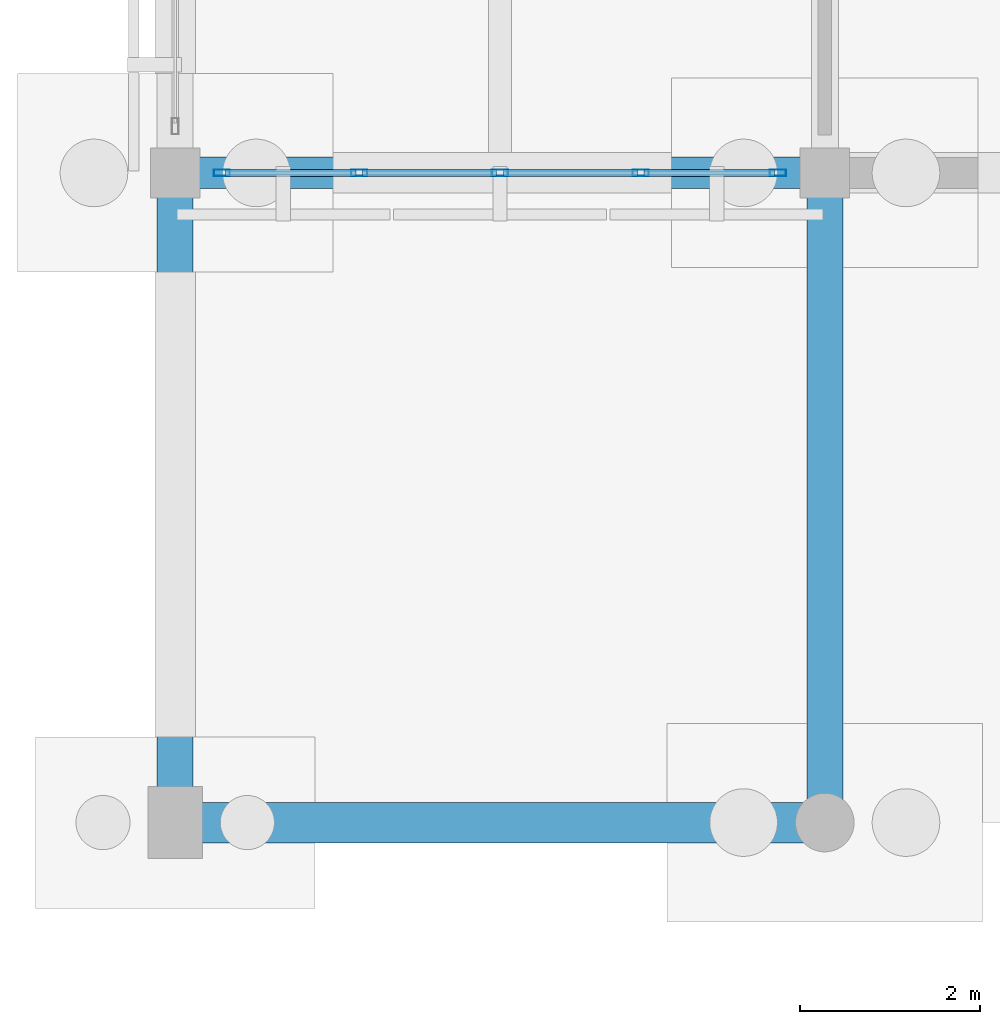
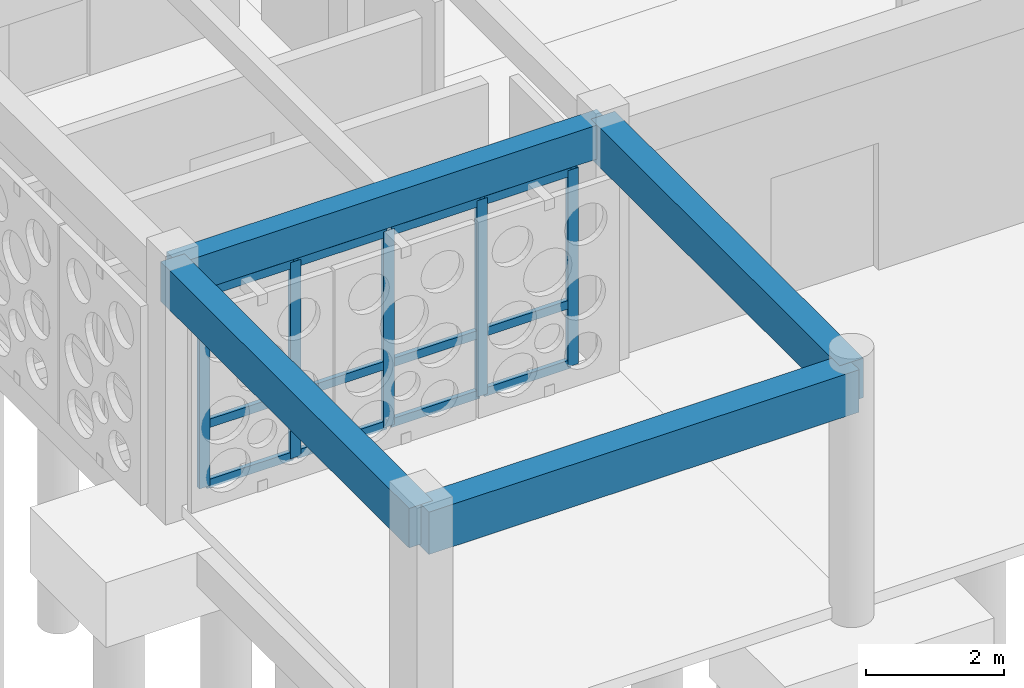
# One storey, part 17 of 111: 17 members, 4 beams, 1 element without a shape of its own.
"""IFC4 building model written with IfcOpenShell, lengths in metres."""

from ifc_helpers import new_model, si_unit, direction, frame, origin, origin_2d, place, context, subcontext, project, spatial, rectangle, hollow_rectangle, extrude, material, material_profile, profile_set, type_object, element, aggregate, save


model = new_model("IFC4")

# Units and contexts
model_context = context("Model", 3, precision=1e-05, world=origin(), true_north=direction((0.0, 1.0)))
body_context = subcontext(model_context, "Body", "Model", "MODEL_VIEW")
ifc_project = project(units=[si_unit("LENGTHUNIT", "METRE"), si_unit("AREAUNIT", "SQUARE_METRE"), si_unit("VOLUMEUNIT", "CUBIC_METRE"), si_unit("PLANEANGLEUNIT", "RADIAN"), si_unit("MASSUNIT", "GRAM", prefix="KILO")], contexts=[model_context])

# Site, building, storey
site_placement = place(None, origin())
site = spatial("IfcSite", under=ifc_project, at=site_placement, CompositionType="ELEMENT")
building_placement = place(site_placement, origin())
building = spatial("IfcBuilding", under=site, at=building_placement, Name="Aldebral Square Health Centre", CompositionType="ELEMENT")
storey_placement = place(building_placement, origin())
storey = spatial("IfcBuildingStorey", under=building, at=storey_placement, Name="L00", CompositionType="ELEMENT", Elevation=0.0)

# Beams
ifc_material_1 = material(Name="Concrete C40/50", Category="concrete")
ifc_material_profile_1 = material_profile(ifc_material_1, rectangle(XDim=0.35009765625, YDim=0.60009765625, at=origin_2d()), Name="RC 350x600")
ifc_profile_set_1 = profile_set([ifc_material_profile_1], Name="Concrete C40/50")
beam_type_1 = type_object("IfcBeamType", Name="BM-B2", PredefinedType="BEAM", material=ifc_profile_set_1)
beam_1_placement = place(storey_placement, frame((64.800048828125, 79.199951171875, 3.919921875), z_axis=(1.0, 0.0, 0.0), x_axis=(0.0, 1.0, 0.0)))
element("IfcBeam", 1, at=beam_1_placement, inside=storey, type_object=beam_type_1, Name="L00 X-beam 10-11/G12", PredefinedType="BEAM", context=body_context, shape_type="SweptSolid", body=[
    extrude(rectangle(XDim=0.35009765625, YDim=0.60009765625, at=origin_2d()), origin(), (0.0, 0.0, 1.0), 7.199951171875),
])
ifc_material_profile_2 = material_profile(ifc_material_1, rectangle(XDim=0.449951171875, YDim=0.75, at=origin_2d()), Name="RC 450x750")
ifc_profile_set_2 = profile_set([ifc_material_profile_2], Name="Concrete C40/50")
beam_type_2 = type_object("IfcBeamType", Name="BM-G2", PredefinedType="T_BEAM", material=ifc_profile_set_2)
beam_2_placement = place(storey_placement, frame((64.800048828125, 72.0, 3.844970703125), z_axis=(1.0, 0.0, 0.0), x_axis=(0.0, 1.0, 0.0)))
element("IfcBeam", 2, at=beam_2_placement, inside=storey, type_object=beam_type_2, Name="L00 X-beam 10-11/G11", PredefinedType="T_BEAM", context=body_context, shape_type="SweptSolid", body=[
    extrude(rectangle(XDim=0.449951171875, YDim=0.75, at=origin_2d()), origin(), (0.0, 0.0, 1.0), 7.199951171875),
])
ifc_material_profile_3 = material_profile(ifc_material_1, rectangle(XDim=0.39990234375, YDim=0.699951171875, at=origin_2d()), Name="RC 400x700")
ifc_profile_set_3 = profile_set([ifc_material_profile_3], Name="Concrete C40/50")
beam_type_3 = type_object("IfcBeamType", Name="BM-G3", PredefinedType="T_BEAM", material=ifc_profile_set_3)
for number, where, z_axis, x_axis, name in (
    (3, (64.800048828125, 72.0, 3.8701171875), (0.0, 1.0, 0.0), (-1.0, 0.0, 0.0), "L00 Y-beam G10/11-12"),
    (4, (72.0, 72.0, 3.8701171875), (0.0, 1.0, 0.0), (-1.0, 0.0, 0.0), "L00 Y-beam G11/11-12"),
):
    element("IfcBeam", number, at=place(storey_placement, frame(where, z_axis=z_axis, x_axis=x_axis)), inside=storey, type_object=beam_type_3, Name=name, PredefinedType="T_BEAM", context=body_context, shape_type="SweptSolid", body=[
        extrude(rectangle(XDim=0.39990234375, YDim=0.699951171875, at=origin_2d()), origin(), (0.0, 0.0, 1.0), 7.199951171875),
    ])

# Curtain wall, members
ifc_material_2 = material(Name="Aluminium and low-E solar glass", Category="aluminium")
curtain_wall_type = type_object("IfcCurtainWallType", Name="CW-HALL-SYS", PredefinedType="USERDEFINED", material=ifc_material_2)
curtain_wall_placement = place(storey_placement, origin())
curtain_wall = element("IfcCurtainWall", 5, at=curtain_wall_placement, inside=storey, type_object=curtain_wall_type, Name="L00 V1 hall curtain wall L00-V1-09-11-S", ObjectType="HALL_CURTAIN_WALL", PredefinedType="USERDEFINED")
ifc_material_3 = material(Name="Anodised aluminium mullion", Category="aluminium")
ifc_material_profile_4 = material_profile(ifc_material_3, hollow_rectangle(XDim=0.074951171875, YDim=0.179931640625, WallThickness=0.00390625, at=origin_2d()), Name="CWM 75x180x4")
ifc_profile_set_4 = profile_set([ifc_material_profile_4], Name="Anodised aluminium mullion")
member_type_1 = type_object("IfcMemberType", Name="CWM-STD", PredefinedType="MULLION", material=ifc_profile_set_4)
member_1_placement = place(storey_placement, frame((65.3173828125, 79.199951171875, 0.0), z_axis=(0.0, 0.0, 1.0), x_axis=(0.0, 1.0, 0.0)))
member_1 = element("IfcMember", 6, at=member_1_placement, type_object=member_type_1, Name="CW2 mullion 1", PredefinedType="MULLION", context=body_context, shape_type="SweptSolid", body=[
    extrude(hollow_rectangle(XDim=0.074951171875, YDim=0.179931640625, WallThickness=0.00390625, at=origin_2d()), origin(), (0.0, 0.0, 1.0), 3.469970703125),
])
member_2_placement = place(storey_placement, frame((66.840087890625, 79.199951171875, 0.0), z_axis=(0.0, 0.0, 1.0), x_axis=(0.0, 1.0, 0.0)))
member_2 = element("IfcMember", 7, at=member_2_placement, type_object=member_type_1, Name="CW2 mullion 2", PredefinedType="MULLION", context=body_context, shape_type="SweptSolid", body=[
    extrude(hollow_rectangle(XDim=0.074951171875, YDim=0.179931640625, WallThickness=0.00390625, at=origin_2d()), origin(), (0.0, 0.0, 1.0), 3.469970703125),
])
member_3_placement = place(storey_placement, frame((68.39990234375, 79.199951171875, 0.0), z_axis=(0.0, 0.0, 1.0), x_axis=(0.0, 1.0, 0.0)))
member_3 = element("IfcMember", 8, at=member_3_placement, type_object=member_type_1, Name="CW2 mullion 3", PredefinedType="MULLION", context=body_context, shape_type="SweptSolid", body=[
    extrude(hollow_rectangle(XDim=0.074951171875, YDim=0.179931640625, WallThickness=0.00390625, at=origin_2d()), origin(), (0.0, 0.0, 1.0), 3.469970703125),
])
member_4_placement = place(storey_placement, frame((69.9599609375, 79.199951171875, 0.0), z_axis=(0.0, 0.0, 1.0), x_axis=(0.0, 1.0, 0.0)))
member_4 = element("IfcMember", 9, at=member_4_placement, type_object=member_type_1, Name="CW2 mullion 4", PredefinedType="MULLION", context=body_context, shape_type="SweptSolid", body=[
    extrude(hollow_rectangle(XDim=0.074951171875, YDim=0.179931640625, WallThickness=0.00390625, at=origin_2d()), origin(), (0.0, 0.0, 1.0), 3.469970703125),
])
member_5_placement = place(storey_placement, frame((71.482421875, 79.199951171875, 0.0), z_axis=(0.0, 0.0, 1.0), x_axis=(0.0, 1.0, 0.0)))
member_5 = element("IfcMember", 10, at=member_5_placement, type_object=member_type_1, Name="CW2 mullion 5", PredefinedType="MULLION", context=body_context, shape_type="SweptSolid", body=[
    extrude(hollow_rectangle(XDim=0.074951171875, YDim=0.179931640625, WallThickness=0.00390625, at=origin_2d()), origin(), (0.0, 0.0, 1.0), 3.469970703125),
])
ifc_material_4 = material(Name="Anodised aluminium transom", Category="aluminium")
ifc_material_profile_5 = material_profile(ifc_material_4, hollow_rectangle(XDim=0.074951171875, YDim=0.14990234375, WallThickness=0.00390625, at=origin_2d()), Name="CWT 75x150x4")
ifc_profile_set_5 = profile_set([ifc_material_profile_5], Name="Anodised aluminium transom")
member_type_2 = type_object("IfcMemberType", Name="CWT-STD", PredefinedType="USERDEFINED", material=ifc_profile_set_5)
member_6_placement = place(storey_placement, frame((65.35498046875, 79.199951171875, 0.03759765625), z_axis=(1.0, 0.0, 0.0), x_axis=(0.0, 1.0, 0.0)))
member_6 = element("IfcMember", 11, at=member_6_placement, type_object=member_type_2, Name="CW2 transom 1.1", ObjectType="TRANSOM", PredefinedType="USERDEFINED", context=body_context, shape_type="SweptSolid", body=[
    extrude(hollow_rectangle(XDim=0.074951171875, YDim=0.14990234375, WallThickness=0.00390625, at=origin_2d()), origin(), (0.0, 0.0, 1.0), 1.447509765625),
])
member_7_placement = place(storey_placement, frame((65.35498046875, 79.199951171875, 1.10009765625), z_axis=(1.0, 0.0, 0.0), x_axis=(0.0, 1.0, 0.0)))
member_7 = element("IfcMember", 12, at=member_7_placement, type_object=member_type_2, Name="CW2 transom 1.2", ObjectType="TRANSOM", PredefinedType="USERDEFINED", context=body_context, shape_type="SweptSolid", body=[
    extrude(hollow_rectangle(XDim=0.074951171875, YDim=0.14990234375, WallThickness=0.00390625, at=origin_2d()), origin(), (0.0, 0.0, 1.0), 1.447509765625),
])
member_8_placement = place(storey_placement, frame((65.35498046875, 79.199951171875, 3.4326171875), z_axis=(1.0, 0.0, 0.0), x_axis=(0.0, 1.0, 0.0)))
member_8 = element("IfcMember", 13, at=member_8_placement, type_object=member_type_2, Name="CW2 transom 1.3", ObjectType="TRANSOM", PredefinedType="USERDEFINED", context=body_context, shape_type="SweptSolid", body=[
    extrude(hollow_rectangle(XDim=0.074951171875, YDim=0.14990234375, WallThickness=0.00390625, at=origin_2d()), origin(), (0.0, 0.0, 1.0), 1.447509765625),
])
member_9_placement = place(storey_placement, frame((66.87744140625, 79.199951171875, 0.03759765625), z_axis=(1.0, 0.0, 0.0), x_axis=(0.0, 1.0, 0.0)))
member_9 = element("IfcMember", 14, at=member_9_placement, type_object=member_type_2, Name="CW2 transom 2.1", ObjectType="TRANSOM", PredefinedType="USERDEFINED", context=body_context, shape_type="SweptSolid", body=[
    extrude(hollow_rectangle(XDim=0.074951171875, YDim=0.14990234375, WallThickness=0.00390625, at=origin_2d()), origin(), (0.0, 0.0, 1.0), 1.485107421875),
])
member_10_placement = place(storey_placement, frame((66.87744140625, 79.199951171875, 1.10009765625), z_axis=(1.0, 0.0, 0.0), x_axis=(0.0, 1.0, 0.0)))
member_10 = element("IfcMember", 15, at=member_10_placement, type_object=member_type_2, Name="CW2 transom 2.2", ObjectType="TRANSOM", PredefinedType="USERDEFINED", context=body_context, shape_type="SweptSolid", body=[
    extrude(hollow_rectangle(XDim=0.074951171875, YDim=0.14990234375, WallThickness=0.00390625, at=origin_2d()), origin(), (0.0, 0.0, 1.0), 1.485107421875),
])
member_11_placement = place(storey_placement, frame((66.87744140625, 79.199951171875, 3.4326171875), z_axis=(1.0, 0.0, 0.0), x_axis=(0.0, 1.0, 0.0)))
member_11 = element("IfcMember", 16, at=member_11_placement, type_object=member_type_2, Name="CW2 transom 2.3", ObjectType="TRANSOM", PredefinedType="USERDEFINED", context=body_context, shape_type="SweptSolid", body=[
    extrude(hollow_rectangle(XDim=0.074951171875, YDim=0.14990234375, WallThickness=0.00390625, at=origin_2d()), origin(), (0.0, 0.0, 1.0), 1.485107421875),
])
member_12_placement = place(storey_placement, frame((68.4375, 79.199951171875, 0.03759765625), z_axis=(1.0, 0.0, 0.0), x_axis=(0.0, 1.0, 0.0)))
member_12 = element("IfcMember", 17, at=member_12_placement, type_object=member_type_2, Name="CW2 transom 3.1", ObjectType="TRANSOM", PredefinedType="USERDEFINED", context=body_context, shape_type="SweptSolid", body=[
    extrude(hollow_rectangle(XDim=0.074951171875, YDim=0.14990234375, WallThickness=0.00390625, at=origin_2d()), origin(), (0.0, 0.0, 1.0), 1.485107421875),
])
member_13_placement = place(storey_placement, frame((68.4375, 79.199951171875, 1.10009765625), z_axis=(1.0, 0.0, 0.0), x_axis=(0.0, 1.0, 0.0)))
member_13 = element("IfcMember", 18, at=member_13_placement, type_object=member_type_2, Name="CW2 transom 3.2", ObjectType="TRANSOM", PredefinedType="USERDEFINED", context=body_context, shape_type="SweptSolid", body=[
    extrude(hollow_rectangle(XDim=0.074951171875, YDim=0.14990234375, WallThickness=0.00390625, at=origin_2d()), origin(), (0.0, 0.0, 1.0), 1.485107421875),
])
member_14_placement = place(storey_placement, frame((68.4375, 79.199951171875, 3.4326171875), z_axis=(1.0, 0.0, 0.0), x_axis=(0.0, 1.0, 0.0)))
member_14 = element("IfcMember", 19, at=member_14_placement, type_object=member_type_2, Name="CW2 transom 3.3", ObjectType="TRANSOM", PredefinedType="USERDEFINED", context=body_context, shape_type="SweptSolid", body=[
    extrude(hollow_rectangle(XDim=0.074951171875, YDim=0.14990234375, WallThickness=0.00390625, at=origin_2d()), origin(), (0.0, 0.0, 1.0), 1.485107421875),
])
member_15_placement = place(storey_placement, frame((69.99755859375, 79.199951171875, 0.03759765625), z_axis=(1.0, 0.0, 0.0), x_axis=(0.0, 1.0, 0.0)))
member_15 = element("IfcMember", 20, at=member_15_placement, type_object=member_type_2, Name="CW2 transom 4.1", ObjectType="TRANSOM", PredefinedType="USERDEFINED", context=body_context, shape_type="SweptSolid", body=[
    extrude(hollow_rectangle(XDim=0.074951171875, YDim=0.14990234375, WallThickness=0.00390625, at=origin_2d()), origin(), (0.0, 0.0, 1.0), 1.447509765625),
])
member_16_placement = place(storey_placement, frame((69.99755859375, 79.199951171875, 1.10009765625), z_axis=(1.0, 0.0, 0.0), x_axis=(0.0, 1.0, 0.0)))
member_16 = element("IfcMember", 21, at=member_16_placement, type_object=member_type_2, Name="CW2 transom 4.2", ObjectType="TRANSOM", PredefinedType="USERDEFINED", context=body_context, shape_type="SweptSolid", body=[
    extrude(hollow_rectangle(XDim=0.074951171875, YDim=0.14990234375, WallThickness=0.00390625, at=origin_2d()), origin(), (0.0, 0.0, 1.0), 1.447509765625),
])
member_17_placement = place(storey_placement, frame((69.99755859375, 79.199951171875, 3.4326171875), z_axis=(1.0, 0.0, 0.0), x_axis=(0.0, 1.0, 0.0)))
member_17 = element("IfcMember", 22, at=member_17_placement, type_object=member_type_2, Name="CW2 transom 4.3", ObjectType="TRANSOM", PredefinedType="USERDEFINED", context=body_context, shape_type="SweptSolid", body=[
    extrude(hollow_rectangle(XDim=0.074951171875, YDim=0.14990234375, WallThickness=0.00390625, at=origin_2d()), origin(), (0.0, 0.0, 1.0), 1.447509765625),
])
aggregate(curtain_wall, [member_1, member_2, member_3, member_4, member_5, member_6, member_7, member_8, member_9, member_10, member_11, member_12, member_13, member_14, member_15, member_16, member_17])

save(model, "model.ifc")
